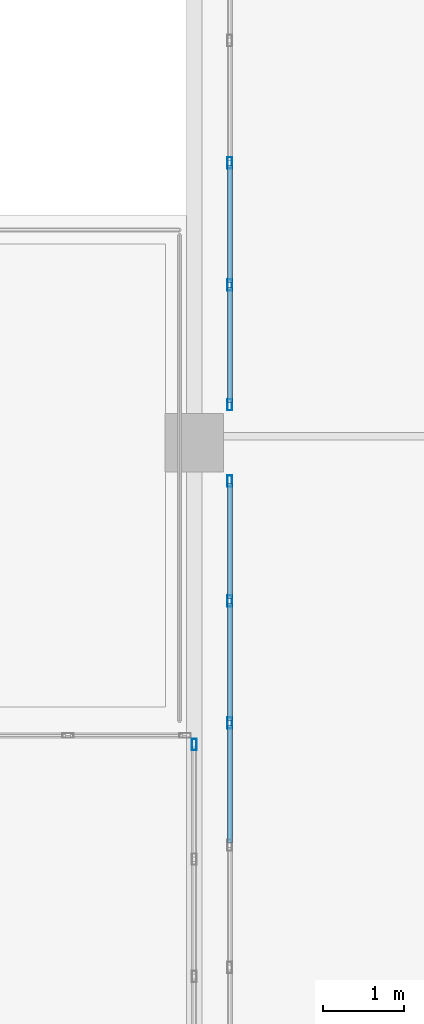
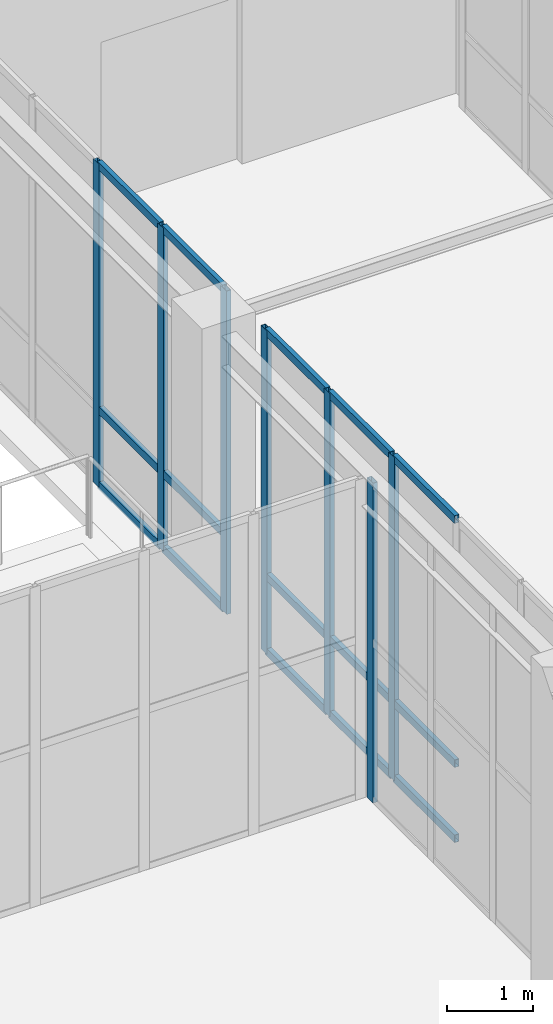
# One storey, part 72 of 158: 22 members, 3 elements without a shape of their own.
"""IFC4 building model written with IfcOpenShell, lengths in metres."""

from ifc_helpers import new_model, si_unit, direction, frame, origin, origin_2d, place, context, subcontext, project, spatial, hollow_rectangle, extrude, material, layer, layer_set, material_profile, profile_set, type_object, element, aggregate, save


model = new_model("IFC4")

# Units and contexts
model_context = context("Model", 3, precision=1e-05, world=origin(), true_north=direction((0.0, 1.0)))
body_context = subcontext(model_context, "Body", "Model", "MODEL_VIEW")
ifc_project = project(units=[si_unit("LENGTHUNIT", "METRE"), si_unit("AREAUNIT", "SQUARE_METRE"), si_unit("VOLUMEUNIT", "CUBIC_METRE"), si_unit("PLANEANGLEUNIT", "RADIAN"), si_unit("MASSUNIT", "GRAM", prefix="KILO")], contexts=[model_context])

# Site, building, storey
site_placement = place(None, origin())
site = spatial("IfcSite", under=ifc_project, at=site_placement, CompositionType="ELEMENT")
building_placement = place(site_placement, origin())
building = spatial("IfcBuilding", under=site, at=building_placement, Name="Trelvath General Hospital", CompositionType="ELEMENT")
storey_placement = place(building_placement, frame((0.0, 0.0, 8.10009765625)))
storey = spatial("IfcBuildingStorey", under=building, at=storey_placement, Name="L02", CompositionType="ELEMENT", Elevation=8.10009765625)

# Curtain wall, member
ifc_material_1 = material(Name="Anodised aluminium and low-E glass", Category="aluminium")
ifc_layer_1 = layer(ifc_material_1, 0.139892578125)
ifc_layer_set_1 = layer_set([ifc_layer_1], Name="Anodised aluminium and low-E glass")
curtain_wall_type_1 = type_object("IfcCurtainWallType", Name="CW CrystalCube 433 456 14", PredefinedType="USERDEFINED", material=ifc_layer_set_1)
curtain_wall_1_placement = place(storey_placement, origin())
curtain_wall_1 = element("IfcCurtainWall", 1, at=curtain_wall_1_placement, inside=storey, type_object=curtain_wall_type_1, Name="Crystal Cube Curtain Wall CUBE-W-T1 E7 L02", ObjectType="Unitised Glazed Curtain Wall", PredefinedType="USERDEFINED")
ifc_material_2 = material(Name="Anodised aluminium", Category="aluminium")
ifc_material_profile_1 = material_profile(ifc_material_2, hollow_rectangle(XDim=0.06005859375, YDim=0.139892578125, WallThickness=0.00390625, at=origin_2d()), Name="RHS60x140x4")
ifc_profile_set_1 = profile_set([ifc_material_profile_1], Name="Anodised aluminium")
member_type_1 = type_object("IfcMemberType", Name="CurtainMullion 60x140", PredefinedType="MULLION", material=ifc_profile_set_1)
member_1_placement = place(storey_placement, frame((75.60009765625, 80.2900390625, 0.0), z_axis=(0.0, 0.0, 1.0), x_axis=(1.0, 0.0, 0.0)))
member_1 = element("IfcMember", 2, at=member_1_placement, type_object=member_type_1, Name="CW-204 mullion 1", PredefinedType="MULLION", context=body_context, shape_type="SweptSolid", body=[
    extrude(hollow_rectangle(XDim=0.06005859375, YDim=0.139892578125, WallThickness=0.00390625, at=origin_2d()), origin(), (0.0, 0.0, 1.0), 4.559814453125),
])
aggregate(curtain_wall_1, [member_1])

# Curtain wall, members
ifc_material_3 = material(Name="Anodised aluminium and low-E glass", Category="aluminium")
ifc_layer_2 = layer(ifc_material_3, 0.139892578125)
ifc_layer_set_2 = layer_set([ifc_layer_2], Name="Anodised aluminium and low-E glass")
curtain_wall_type_2 = type_object("IfcCurtainWallType", Name="CW Bridge 752 461", PredefinedType="USERDEFINED", material=ifc_layer_set_2)
curtain_wall_2_placement = place(storey_placement, origin())
curtain_wall_2 = element("IfcCurtainWall", 3, at=curtain_wall_2_placement, inside=storey, type_object=curtain_wall_type_2, Name="Glazed Bridge Curtain Wall BRG-N-C W L02", ObjectType="Unitised Glazed Curtain Wall", PredefinedType="USERDEFINED")
member_2_placement = place(storey_placement, frame((76.0400390625, 80.552001953125, 0.0), z_axis=(0.0, 0.0, 1.0), x_axis=(-1.0, 0.0, 0.0)))
member_2 = element("IfcMember", 4, at=member_2_placement, type_object=member_type_1, Name="CW-222 mullion 4", PredefinedType="MULLION", context=body_context, shape_type="SweptSolid", body=[
    extrude(hollow_rectangle(XDim=0.06005859375, YDim=0.139892578125, WallThickness=0.00390625, at=origin_2d()), origin(), (0.0, 0.0, 1.0), 4.60986328125),
])
member_3_placement = place(storey_placement, frame((76.0400390625, 82.055908203125, 0.0), z_axis=(0.0, 0.0, 1.0), x_axis=(-1.0, 0.0, 0.0)))
member_3 = element("IfcMember", 5, at=member_3_placement, type_object=member_type_1, Name="CW-222 mullion 5", PredefinedType="MULLION", context=body_context, shape_type="SweptSolid", body=[
    extrude(hollow_rectangle(XDim=0.06005859375, YDim=0.139892578125, WallThickness=0.00390625, at=origin_2d()), origin(), (0.0, 0.0, 1.0), 4.60986328125),
])
member_4_placement = place(storey_placement, frame((76.0400390625, 83.530029296875, 0.0), z_axis=(0.0, 0.0, 1.0), x_axis=(-1.0, 0.0, 0.0)))
member_4 = element("IfcMember", 6, at=member_4_placement, type_object=member_type_1, Name="CW-222 mullion 6", PredefinedType="MULLION", context=body_context, shape_type="SweptSolid", body=[
    extrude(hollow_rectangle(XDim=0.06005859375, YDim=0.139892578125, WallThickness=0.00390625, at=origin_2d()), origin(), (0.0, 0.0, 1.0), 4.60986328125),
])

curtain_wall_3_placement = place(storey_placement, origin())
curtain_wall_3 = element("IfcCurtainWall", 7, at=curtain_wall_3_placement, inside=storey, type_object=curtain_wall_type_2, Name="Glazed Bridge Curtain Wall BRG-N-C W L02", ObjectType="Unitised Glazed Curtain Wall", PredefinedType="USERDEFINED")
member_5_placement = place(storey_placement, frame((76.0400390625, 84.469970703125, 0.0), z_axis=(0.0, 0.0, 1.0), x_axis=(-1.0, 0.0, 0.0)))
member_5 = element("IfcMember", 8, at=member_5_placement, type_object=member_type_1, Name="CW-224 mullion 1", PredefinedType="MULLION", context=body_context, shape_type="SweptSolid", body=[
    extrude(hollow_rectangle(XDim=0.06005859375, YDim=0.139892578125, WallThickness=0.00390625, at=origin_2d()), origin(), (0.0, 0.0, 1.0), 4.60986328125),
])
member_6_placement = place(storey_placement, frame((76.0400390625, 85.944091796875, 0.0), z_axis=(0.0, 0.0, 1.0), x_axis=(-1.0, 0.0, 0.0)))
member_6 = element("IfcMember", 9, at=member_6_placement, type_object=member_type_1, Name="CW-224 mullion 2", PredefinedType="MULLION", context=body_context, shape_type="SweptSolid", body=[
    extrude(hollow_rectangle(XDim=0.06005859375, YDim=0.139892578125, WallThickness=0.00390625, at=origin_2d()), origin(), (0.0, 0.0, 1.0), 4.60986328125),
])
member_7_placement = place(storey_placement, frame((76.0400390625, 87.447998046875, 0.0), z_axis=(0.0, 0.0, 1.0), x_axis=(-1.0, 0.0, 0.0)))
member_7 = element("IfcMember", 10, at=member_7_placement, type_object=member_type_1, Name="CW-224 mullion 3", PredefinedType="MULLION", context=body_context, shape_type="SweptSolid", body=[
    extrude(hollow_rectangle(XDim=0.06005859375, YDim=0.139892578125, WallThickness=0.00390625, at=origin_2d()), origin(), (0.0, 0.0, 1.0), 4.60986328125),
])

# Member
ifc_material_4 = material(Name="Anodised aluminium", Category="aluminium")
ifc_material_profile_2 = material_profile(ifc_material_4, hollow_rectangle(XDim=0.06005859375, YDim=0.110107421875, WallThickness=0.00390625, at=origin_2d()), Name="RHS60x110x4")
ifc_profile_set_2 = profile_set([ifc_material_profile_2], Name="Anodised aluminium")
member_type_2 = type_object("IfcMemberType", Name="CurtainTransom 60x110", PredefinedType="USERDEFINED", material=ifc_profile_set_2)
member_8_placement = place(storey_placement, frame((76.0400390625, 79.077880859375, 0.02978515625), z_axis=(0.0, 1.0, 0.0), x_axis=(-1.0, 0.0, 0.0)))
member_8 = element("IfcMember", 11, at=member_8_placement, type_object=member_type_2, Name="CW-222 transom 3.1", ObjectType="TRANSOM", PredefinedType="USERDEFINED", context=body_context, shape_type="SweptSolid", body=[
    extrude(hollow_rectangle(XDim=0.06005859375, YDim=0.110107421875, WallThickness=0.00390625, at=origin_2d()), origin(), (0.0, 0.0, 1.0), 1.444091796875),
])

member_9_placement = place(storey_placement, frame((76.0400390625, 79.077880859375, 1.099853515625), z_axis=(0.0, 1.0, 0.0), x_axis=(-1.0, 0.0, 0.0)))
member_9 = element("IfcMember", 12, at=member_9_placement, type_object=member_type_2, Name="CW-222 transom 3.2", ObjectType="TRANSOM", PredefinedType="USERDEFINED", context=body_context, shape_type="SweptSolid", body=[
    extrude(hollow_rectangle(XDim=0.06005859375, YDim=0.110107421875, WallThickness=0.00390625, at=origin_2d()), origin(), (0.0, 0.0, 1.0), 1.444091796875),
])

member_10_placement = place(storey_placement, frame((76.0400390625, 79.077880859375, 4.579833984375), z_axis=(0.0, 1.0, 0.0), x_axis=(-1.0, 0.0, 0.0)))
member_10 = element("IfcMember", 13, at=member_10_placement, type_object=member_type_2, Name="CW-222 transom 3.3", ObjectType="TRANSOM", PredefinedType="USERDEFINED", context=body_context, shape_type="SweptSolid", body=[
    extrude(hollow_rectangle(XDim=0.06005859375, YDim=0.110107421875, WallThickness=0.00390625, at=origin_2d()), origin(), (0.0, 0.0, 1.0), 1.444091796875),
])

member_11_placement = place(storey_placement, frame((76.0400390625, 80.58203125, 0.02978515625), z_axis=(0.0, 1.0, 0.0), x_axis=(-1.0, 0.0, 0.0)))
member_11 = element("IfcMember", 14, at=member_11_placement, type_object=member_type_2, Name="CW-222 transom 4.1", ObjectType="TRANSOM", PredefinedType="USERDEFINED", context=body_context, shape_type="SweptSolid", body=[
    extrude(hollow_rectangle(XDim=0.06005859375, YDim=0.110107421875, WallThickness=0.00390625, at=origin_2d()), origin(), (0.0, 0.0, 1.0), 1.44384765625),
])

member_12_placement = place(storey_placement, frame((76.0400390625, 80.58203125, 1.099853515625), z_axis=(0.0, 1.0, 0.0), x_axis=(-1.0, 0.0, 0.0)))
member_12 = element("IfcMember", 15, at=member_12_placement, type_object=member_type_2, Name="CW-222 transom 4.2", ObjectType="TRANSOM", PredefinedType="USERDEFINED", context=body_context, shape_type="SweptSolid", body=[
    extrude(hollow_rectangle(XDim=0.06005859375, YDim=0.110107421875, WallThickness=0.00390625, at=origin_2d()), origin(), (0.0, 0.0, 1.0), 1.44384765625),
])

member_13_placement = place(storey_placement, frame((76.0400390625, 80.58203125, 4.579833984375), z_axis=(0.0, 1.0, 0.0), x_axis=(-1.0, 0.0, 0.0)))
member_13 = element("IfcMember", 16, at=member_13_placement, type_object=member_type_2, Name="CW-222 transom 4.3", ObjectType="TRANSOM", PredefinedType="USERDEFINED", context=body_context, shape_type="SweptSolid", body=[
    extrude(hollow_rectangle(XDim=0.06005859375, YDim=0.110107421875, WallThickness=0.00390625, at=origin_2d()), origin(), (0.0, 0.0, 1.0), 1.44384765625),
])

member_14_placement = place(storey_placement, frame((76.0400390625, 82.0859375, 0.02978515625), z_axis=(0.0, 1.0, 0.0), x_axis=(-1.0, 0.0, 0.0)))
member_14 = element("IfcMember", 17, at=member_14_placement, type_object=member_type_2, Name="CW-222 transom 5.1", ObjectType="TRANSOM", PredefinedType="USERDEFINED", context=body_context, shape_type="SweptSolid", body=[
    extrude(hollow_rectangle(XDim=0.06005859375, YDim=0.110107421875, WallThickness=0.00390625, at=origin_2d()), origin(), (0.0, 0.0, 1.0), 1.4140625),
])

member_15_placement = place(storey_placement, frame((76.0400390625, 82.0859375, 1.099853515625), z_axis=(0.0, 1.0, 0.0), x_axis=(-1.0, 0.0, 0.0)))
member_15 = element("IfcMember", 18, at=member_15_placement, type_object=member_type_2, Name="CW-222 transom 5.2", ObjectType="TRANSOM", PredefinedType="USERDEFINED", context=body_context, shape_type="SweptSolid", body=[
    extrude(hollow_rectangle(XDim=0.06005859375, YDim=0.110107421875, WallThickness=0.00390625, at=origin_2d()), origin(), (0.0, 0.0, 1.0), 1.4140625),
])

member_16_placement = place(storey_placement, frame((76.0400390625, 82.0859375, 4.579833984375), z_axis=(0.0, 1.0, 0.0), x_axis=(-1.0, 0.0, 0.0)))
member_16 = element("IfcMember", 19, at=member_16_placement, type_object=member_type_2, Name="CW-222 transom 5.3", ObjectType="TRANSOM", PredefinedType="USERDEFINED", context=body_context, shape_type="SweptSolid", body=[
    extrude(hollow_rectangle(XDim=0.06005859375, YDim=0.110107421875, WallThickness=0.00390625, at=origin_2d()), origin(), (0.0, 0.0, 1.0), 1.4140625),
])

aggregate(curtain_wall_2, [member_2, member_3, member_4, member_8, member_9, member_10, member_11, member_12, member_13, member_14, member_15, member_16])

member_17_placement = place(storey_placement, frame((76.0400390625, 84.5, 0.02978515625), z_axis=(0.0, 1.0, 0.0), x_axis=(-1.0, 0.0, 0.0)))
member_17 = element("IfcMember", 20, at=member_17_placement, type_object=member_type_2, Name="CW-224 transom 1.1", ObjectType="TRANSOM", PredefinedType="USERDEFINED", context=body_context, shape_type="SweptSolid", body=[
    extrude(hollow_rectangle(XDim=0.06005859375, YDim=0.110107421875, WallThickness=0.00390625, at=origin_2d()), origin(), (0.0, 0.0, 1.0), 1.4140625),
])

member_18_placement = place(storey_placement, frame((76.0400390625, 84.5, 1.099853515625), z_axis=(0.0, 1.0, 0.0), x_axis=(-1.0, 0.0, 0.0)))
member_18 = element("IfcMember", 21, at=member_18_placement, type_object=member_type_2, Name="CW-224 transom 1.2", ObjectType="TRANSOM", PredefinedType="USERDEFINED", context=body_context, shape_type="SweptSolid", body=[
    extrude(hollow_rectangle(XDim=0.06005859375, YDim=0.110107421875, WallThickness=0.00390625, at=origin_2d()), origin(), (0.0, 0.0, 1.0), 1.4140625),
])

member_19_placement = place(storey_placement, frame((76.0400390625, 84.5, 4.579833984375), z_axis=(0.0, 1.0, 0.0), x_axis=(-1.0, 0.0, 0.0)))
member_19 = element("IfcMember", 22, at=member_19_placement, type_object=member_type_2, Name="CW-224 transom 1.3", ObjectType="TRANSOM", PredefinedType="USERDEFINED", context=body_context, shape_type="SweptSolid", body=[
    extrude(hollow_rectangle(XDim=0.06005859375, YDim=0.110107421875, WallThickness=0.00390625, at=origin_2d()), origin(), (0.0, 0.0, 1.0), 1.4140625),
])

member_20_placement = place(storey_placement, frame((76.0400390625, 85.97412109375, 0.02978515625), z_axis=(0.0, 1.0, 0.0), x_axis=(-1.0, 0.0, 0.0)))
member_20 = element("IfcMember", 23, at=member_20_placement, type_object=member_type_2, Name="CW-224 transom 2.1", ObjectType="TRANSOM", PredefinedType="USERDEFINED", context=body_context, shape_type="SweptSolid", body=[
    extrude(hollow_rectangle(XDim=0.06005859375, YDim=0.110107421875, WallThickness=0.00390625, at=origin_2d()), origin(), (0.0, 0.0, 1.0), 1.44384765625),
])

member_21_placement = place(storey_placement, frame((76.0400390625, 85.97412109375, 1.099853515625), z_axis=(0.0, 1.0, 0.0), x_axis=(-1.0, 0.0, 0.0)))
member_21 = element("IfcMember", 24, at=member_21_placement, type_object=member_type_2, Name="CW-224 transom 2.2", ObjectType="TRANSOM", PredefinedType="USERDEFINED", context=body_context, shape_type="SweptSolid", body=[
    extrude(hollow_rectangle(XDim=0.06005859375, YDim=0.110107421875, WallThickness=0.00390625, at=origin_2d()), origin(), (0.0, 0.0, 1.0), 1.44384765625),
])

member_22_placement = place(storey_placement, frame((76.0400390625, 85.97412109375, 4.579833984375), z_axis=(0.0, 1.0, 0.0), x_axis=(-1.0, 0.0, 0.0)))
member_22 = element("IfcMember", 25, at=member_22_placement, type_object=member_type_2, Name="CW-224 transom 2.3", ObjectType="TRANSOM", PredefinedType="USERDEFINED", context=body_context, shape_type="SweptSolid", body=[
    extrude(hollow_rectangle(XDim=0.06005859375, YDim=0.110107421875, WallThickness=0.00390625, at=origin_2d()), origin(), (0.0, 0.0, 1.0), 1.44384765625),
])

aggregate(curtain_wall_3, [member_5, member_6, member_7, member_17, member_18, member_19, member_20, member_21, member_22])

save(model, "model.ifc")
